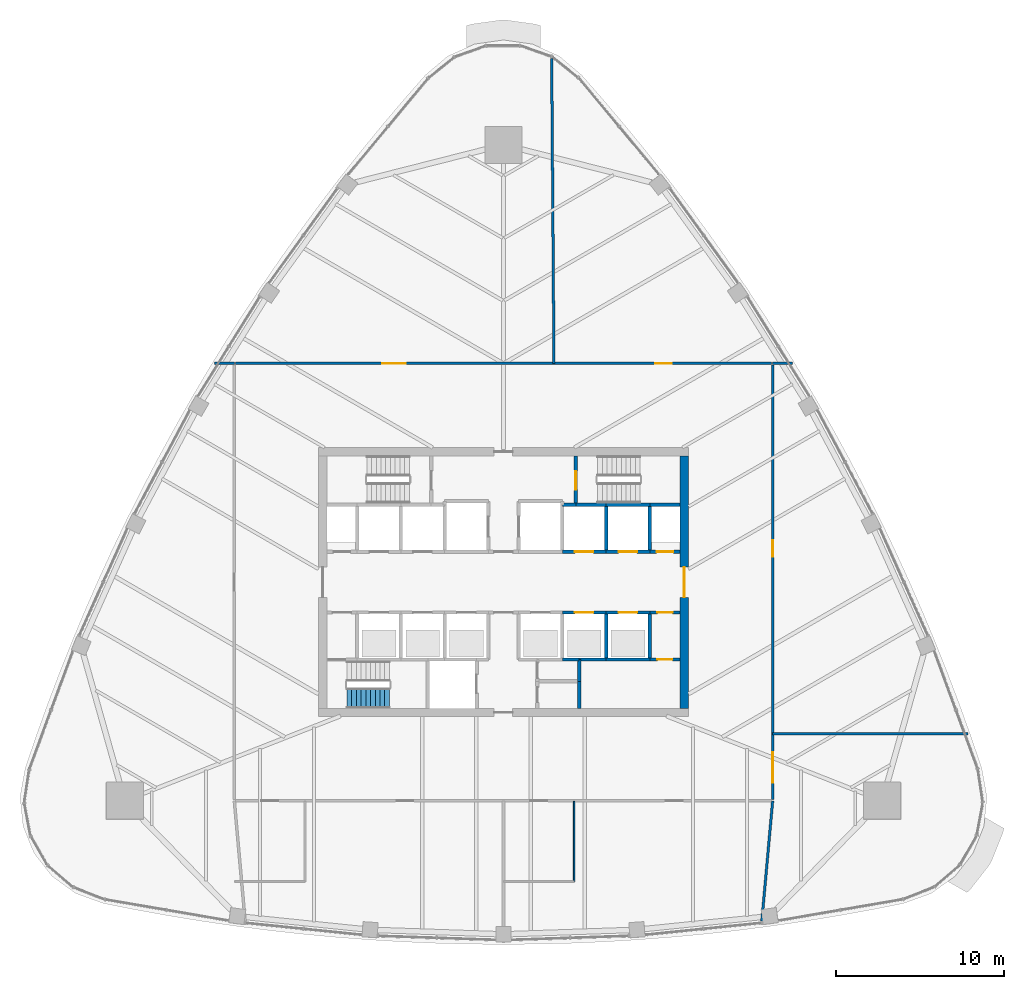
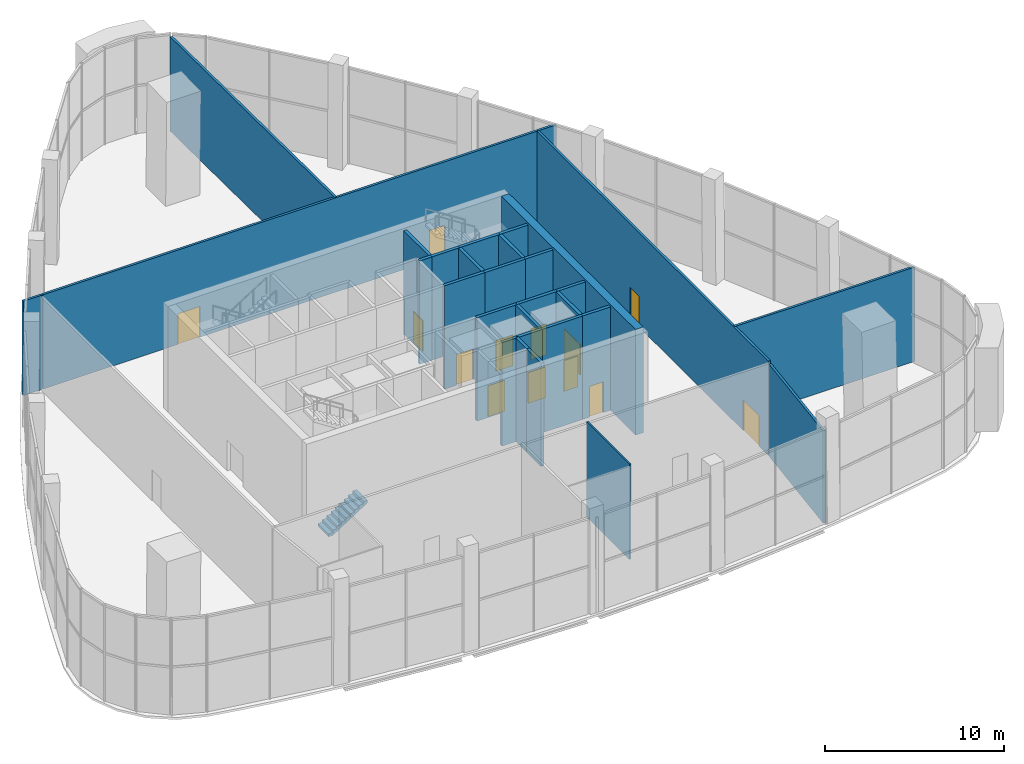
# One storey, part 11 of 15: 30 walls, 13 doors, 1 stair flight, 13 openings, 1 element without a shape of its own.
"""IFC4 building model written with IfcOpenShell, lengths in metres."""

from ifc_helpers import new_model, si_unit, direction, frame, frame_2d, origin, place, context, subcontext, project, spatial, polyline, rectangle, outline, extrude, material, layer, layer_set, type_object, element, fill, aggregate, save


model = new_model("IFC4")

# Units and contexts
model_context = context("Model", 3, precision=1e-05, world=origin(), true_north=direction((0.0, 1.0)))
body_context = subcontext(model_context, "Body", "Model", "MODEL_VIEW")
ifc_project = project(units=[si_unit("LENGTHUNIT", "METRE"), si_unit("AREAUNIT", "SQUARE_METRE"), si_unit("VOLUMEUNIT", "CUBIC_METRE"), si_unit("PLANEANGLEUNIT", "RADIAN"), si_unit("MASSUNIT", "GRAM", prefix="KILO")], contexts=[model_context])

# Site, building, storey
site_placement = place(None, origin())
site = spatial("IfcSite", under=ifc_project, at=site_placement, CompositionType="ELEMENT")
building_placement = place(site_placement, origin())
building = spatial("IfcBuilding", under=site, at=building_placement, Name="Sierra Prisma Convention Tower", CompositionType="ELEMENT")
storey_placement = place(building_placement, frame((0.0, 0.0, 219.800048828125)))
storey = spatial("IfcBuildingStorey", under=building, at=storey_placement, Name="L49", CompositionType="ELEMENT", Elevation=219.800048828125)

# Walls
ifc_material_1 = material(Name="Gypsum board partition", Category="gypsum")
ifc_layer_1 = layer(ifc_material_1, 0.10009765625)
ifc_layer_set_1 = layer_set([ifc_layer_1], Name="Bathroom partition 100")
wall_type_1 = type_object("IfcWallType", Name="Bathroom partition 100", PredefinedType="PARTITIONING", material=ifc_layer_set_1)
wall_1_placement = place(storey_placement, frame((4.199951171875, -13.030029296875, 0.0), z_axis=(0.0, 0.0, 1.0), x_axis=(0.0, -1.0, 0.0)))
element("IfcWall", 1, at=wall_1_placement, inside=storey, type_object=wall_type_1, Name="Partition L49 bath 3", PredefinedType="PARTITIONING", context=body_context, shape_type="SweptSolid", body=[
    extrude(rectangle(XDim=4.77001953125, YDim=0.10009765625, at=frame_2d((2.385009765625, 0.0))), origin(), (0.0, 0.0, 1.0), 6.5),
])
ifc_material_2 = material(Name="Concrete C30/37", Category="concrete")
ifc_layer_2 = layer(ifc_material_2, 0.199951171875)
ifc_layer_set_2 = layer_set([ifc_layer_2], Name="Core wall RC 200 C30/37")
wall_type_2 = type_object("IfcWallType", Name="Core wall RC 200 C30/37", PredefinedType="SOLIDWALL", material=ifc_layer_set_2)
wall_2_placement = place(storey_placement, frame((4.5, -4.60009765625, 0.0), z_axis=(0.0, 0.0, 1.0), x_axis=(-1.0, 0.0, 0.0)))
element("IfcWall", 2, at=wall_2_placement, inside=storey, type_object=wall_type_2, Name="Core wall L49 45", PredefinedType="SOLIDWALL", context=body_context, shape_type="SweptSolid", body=[
    extrude(rectangle(XDim=1.0, YDim=0.199951171875, at=frame_2d((0.5, 0.0))), origin(), (0.0, 0.0, 1.0), 7.050048828125),
])

# Wall, opening, door
wall_3_placement = place(storey_placement, frame((3.5, -1.800048828125, 0.0), z_axis=(0.0, 0.0, 1.0), x_axis=(1.0, 0.0, 0.0)))
wall_3 = element("IfcWall", 3, at=wall_3_placement, inside=storey, type_object=wall_type_2, Name="Core wall L49 47", PredefinedType="SOLIDWALL", context=body_context, shape_type="SweptSolid", body=[
    extrude(rectangle(XDim=2.60009765625, YDim=0.199951171875, at=frame_2d((1.300048828125, 0.0))), origin(), (0.0, 0.0, 1.0), 7.050048828125),
])
opening_1_placement = place(wall_3_placement, frame((0.75, 0.0, 0.0)))
opening_1 = element("IfcOpeningElement", 4, at=opening_1_placement, cuts=wall_3, Name="Opening L49-D005", PredefinedType="OPENING", context=body_context, shape_type="SweptSolid", body=[
    extrude(rectangle(XDim=1.10009765625, YDim=2.10009765625, at=frame_2d((0.550048828125, 1.050048828125))), frame((0.0, 0.10009765625, 0.0), z_axis=(0.0, -1.0, 0.0), x_axis=(1.0, 0.0, 0.0)), (0.0, 0.0, 1.0), 0.199951171875),
])
ifc_material_3 = material(Name="Steel fire door leaf", Category="steel")
door_type_1 = type_object("IfcDoorType", Name="Door 1100x2100 EI 90 sliding lift landing", OperationType="SLIDING_TO_LEFT", PredefinedType="DOOR", material=ifc_material_3)
door_1_placement = place(opening_1_placement, origin())
door_1 = element("IfcDoor", 5, at=door_1_placement, inside=storey, type_object=door_type_1, Name="Door L49 14", OperationType="SLIDING_TO_LEFT", OverallHeight=2.10009765625, OverallWidth=1.10009765625, PredefinedType="DOOR", context=body_context, shape_type="SweptSolid", body=[
    extrude(rectangle(XDim=1.10009765625, YDim=2.10009765625, at=frame_2d((0.550048828125, 1.050048828125))), frame((0.0, 0.02490234375, 0.0), z_axis=(0.0, -1.0, 0.0), x_axis=(1.0, 0.0, 0.0)), (0.0, 0.0, 1.0), 0.050048828125),
])
fill(opening_1, door_1)

wall_4_placement = place(storey_placement, frame((6.10009765625, 1.800048828125, 0.0), z_axis=(0.0, 0.0, 1.0), x_axis=(-1.0, 0.0, 0.0)))
wall_4 = element("IfcWall", 6, at=wall_4_placement, inside=storey, type_object=wall_type_2, Name="Core wall L49 48", PredefinedType="SOLIDWALL", context=body_context, shape_type="SweptSolid", body=[
    extrude(rectangle(XDim=2.60009765625, YDim=0.199951171875, at=frame_2d((1.300048828125, 0.0))), origin(), (0.0, 0.0, 1.0), 7.050048828125),
])
opening_2_placement = place(wall_4_placement, frame((0.75, 0.0, 0.0)))
opening_2 = element("IfcOpeningElement", 7, at=opening_2_placement, cuts=wall_4, Name="Opening L49-D009", PredefinedType="OPENING", context=body_context, shape_type="SweptSolid", body=[
    extrude(rectangle(XDim=1.10009765625, YDim=2.10009765625, at=frame_2d((0.550048828125, 1.050048828125))), frame((0.0, 0.10009765625, 0.0), z_axis=(0.0, -1.0, 0.0), x_axis=(1.0, 0.0, 0.0)), (0.0, 0.0, 1.0), 0.199951171875),
])
door_2_placement = place(opening_2_placement, origin())
door_2 = element("IfcDoor", 8, at=door_2_placement, inside=storey, type_object=door_type_1, Name="Door L49 18", OperationType="SLIDING_TO_RIGHT", OverallHeight=2.10009765625, OverallWidth=1.10009765625, PredefinedType="DOOR", context=body_context, shape_type="SweptSolid", body=[
    extrude(rectangle(XDim=1.10009765625, YDim=2.10009765625, at=frame_2d((0.550048828125, 1.050048828125))), frame((0.0, 0.02490234375, 0.0), z_axis=(0.0, -1.0, 0.0), x_axis=(1.0, 0.0, 0.0)), (0.0, 0.0, 1.0), 0.050048828125),
])
fill(opening_2, door_2)

# Walls
wall_5_placement = place(storey_placement, frame((4.300048828125, 4.60009765625, 0.0), z_axis=(0.0, 0.0, 1.0), x_axis=(-1.0, 0.0, 0.0)))
element("IfcWall", 9, at=wall_5_placement, inside=storey, type_object=wall_type_2, Name="Core wall L49 50", PredefinedType="SOLIDWALL", context=body_context, shape_type="SweptSolid", body=[
    extrude(rectangle(XDim=0.800048828125, YDim=0.199951171875, at=frame_2d((0.39990234375, 0.0))), origin(), (0.0, 0.0, 1.0), 7.050048828125),
])
wall_6_placement = place(storey_placement, frame((6.10009765625, 4.60009765625, 0.0), z_axis=(0.0, 0.0, 1.0), x_axis=(-1.0, 0.0, 0.0)))
element("IfcWall", 10, at=wall_6_placement, inside=storey, type_object=wall_type_2, Name="Core wall L49 51", PredefinedType="SOLIDWALL", context=body_context, shape_type="SweptSolid", body=[
    extrude(rectangle(XDim=1.800048828125, YDim=0.199951171875, at=frame_2d((0.89990234375, 0.0))), origin(), (0.0, 0.0, 1.0), 7.050048828125),
])

# Wall, opening, door
wall_7_placement = place(storey_placement, frame((4.300048828125, 7.5, 0.0), z_axis=(0.0, 0.0, 1.0), x_axis=(0.0, -1.0, 0.0)))
wall_7 = element("IfcWall", 11, at=wall_7_placement, inside=storey, type_object=wall_type_2, Name="Core wall L49 52", PredefinedType="SOLIDWALL", context=body_context, shape_type="SweptSolid", body=[
    extrude(rectangle(XDim=2.89990234375, YDim=0.199951171875, at=frame_2d((1.449951171875, 0.0))), origin(), (0.0, 0.0, 1.0), 7.050048828125),
])
opening_3_placement = place(wall_7_placement, frame((0.89990234375, 0.0, 0.0)))
opening_3 = element("IfcOpeningElement", 12, at=opening_3_placement, cuts=wall_7, Name="Opening L49-D021", PredefinedType="OPENING", context=body_context, shape_type="SweptSolid", body=[
    extrude(rectangle(XDim=1.10009765625, YDim=2.10009765625, at=frame_2d((0.550048828125, 1.050048828125))), frame((0.0, 0.10009765625, 0.0), z_axis=(0.0, -1.0, 0.0), x_axis=(1.0, 0.0, 0.0)), (0.0, 0.0, 1.0), 0.199951171875),
])
ifc_material_4 = material(Name="Steel fire door leaf", Category="steel")
door_type_2 = type_object("IfcDoorType", Name="Door 1100x2100 FD90S", OperationType="SINGLE_SWING_LEFT", PredefinedType="DOOR", material=ifc_material_4)
door_3_placement = place(opening_3_placement, origin())
door_3 = element("IfcDoor", 13, at=door_3_placement, inside=storey, type_object=door_type_2, Name="Door L49 30", OperationType="SINGLE_SWING_RIGHT", OverallHeight=2.10009765625, OverallWidth=1.10009765625, PredefinedType="DOOR", context=body_context, shape_type="SweptSolid", body=[
    extrude(rectangle(XDim=1.10009765625, YDim=2.10009765625, at=frame_2d((0.550048828125, 1.050048828125))), frame((0.0, 0.02490234375, 0.0), z_axis=(0.0, -1.0, 0.0), x_axis=(1.0, 0.0, 0.0)), (0.0, 0.0, 1.0), 0.050048828125),
])
fill(opening_3, door_3)

# Walls
wall_8_placement = place(storey_placement, frame((4.5, -5.89990234375, 0.0), z_axis=(0.0, 0.0, 1.0), x_axis=(0.0, -1.0, 0.0)))
element("IfcWall", 14, at=wall_8_placement, inside=storey, type_object=wall_type_2, Name="Core wall L49 53", PredefinedType="SOLIDWALL", context=body_context, shape_type="SweptSolid", body=[
    extrude(rectangle(XDim=1.60009765625, YDim=0.199951171875, at=frame_2d((0.800048828125, 0.0))), origin(), (0.0, 0.0, 1.0), 7.050048828125),
])
wall_9_placement = place(storey_placement, frame((4.5, -4.60009765625, 0.0), z_axis=(0.0, 0.0, 1.0), x_axis=(0.0, -1.0, 0.0)))
element("IfcWall", 15, at=wall_9_placement, inside=storey, type_object=wall_type_2, Name="Core wall L49 54", PredefinedType="SOLIDWALL", context=body_context, shape_type="SweptSolid", body=[
    extrude(rectangle(XDim=1.2998046875, YDim=0.199951171875, at=frame_2d((0.64990234375, 0.0))), origin(), (0.0, 0.0, 1.0), 7.050048828125),
])
wall_10_placement = place(storey_placement, frame((6.10009765625, -4.60009765625, 0.0), z_axis=(0.0, 0.0, 1.0), x_axis=(-1.0, 0.0, 0.0)))
element("IfcWall", 16, at=wall_10_placement, inside=storey, type_object=wall_type_2, Name="Core wall L49 55", PredefinedType="SOLIDWALL", context=body_context, shape_type="SweptSolid", body=[
    extrude(rectangle(XDim=1.60009765625, YDim=0.199951171875, at=frame_2d((0.800048828125, 0.0))), origin(), (0.0, 0.0, 1.0), 7.050048828125),
])
wall_11_placement = place(storey_placement, frame((8.699951171875, -4.60009765625, 0.0), z_axis=(0.0, 0.0, 1.0), x_axis=(-1.0, 0.0, 0.0)))
element("IfcWall", 17, at=wall_11_placement, inside=storey, type_object=wall_type_2, Name="Core wall L49 56", PredefinedType="SOLIDWALL", context=body_context, shape_type="SweptSolid", body=[
    extrude(rectangle(XDim=2.599853515625, YDim=0.199951171875, at=frame_2d((1.2998046875, 0.0))), origin(), (0.0, 0.0, 1.0), 7.050048828125),
])
wall_12_placement = place(storey_placement, frame((6.10009765625, -4.60009765625, 0.0), z_axis=(0.0, 0.0, 1.0), x_axis=(0.0, 1.0, 0.0)))
element("IfcWall", 18, at=wall_12_placement, inside=storey, type_object=wall_type_2, Name="Core wall L49 57", PredefinedType="SOLIDWALL", context=body_context, shape_type="SweptSolid", body=[
    extrude(rectangle(XDim=2.800048828125, YDim=0.199951171875, at=frame_2d((1.39990234375, 0.0))), origin(), (0.0, 0.0, 1.0), 7.050048828125),
])

# Wall, opening, door
wall_13_placement = place(storey_placement, frame((6.10009765625, -1.800048828125, 0.0), z_axis=(0.0, 0.0, 1.0), x_axis=(1.0, 0.0, 0.0)))
wall_13 = element("IfcWall", 19, at=wall_13_placement, inside=storey, type_object=wall_type_2, Name="Core wall L49 58", PredefinedType="SOLIDWALL", context=body_context, shape_type="SweptSolid", body=[
    extrude(rectangle(XDim=2.599853515625, YDim=0.199951171875, at=frame_2d((1.2998046875, 0.0))), origin(), (0.0, 0.0, 1.0), 7.050048828125),
])
opening_4_placement = place(wall_13_placement, frame((0.75, 0.0, 0.0)))
opening_4 = element("IfcOpeningElement", 20, at=opening_4_placement, cuts=wall_13, Name="Opening L49-D006", PredefinedType="OPENING", context=body_context, shape_type="SweptSolid", body=[
    extrude(rectangle(XDim=1.10009765625, YDim=2.10009765625, at=frame_2d((0.550048828125, 1.050048828125))), frame((0.0, 0.10009765625, 0.0), z_axis=(0.0, -1.0, 0.0), x_axis=(1.0, 0.0, 0.0)), (0.0, 0.0, 1.0), 0.199951171875),
])
door_4_placement = place(opening_4_placement, origin())
door_4 = element("IfcDoor", 21, at=door_4_placement, inside=storey, type_object=door_type_1, Name="Door L49 15", OperationType="SLIDING_TO_LEFT", OverallHeight=2.10009765625, OverallWidth=1.10009765625, PredefinedType="DOOR", context=body_context, shape_type="SweptSolid", body=[
    extrude(rectangle(XDim=1.10009765625, YDim=2.10009765625, at=frame_2d((0.550048828125, 1.050048828125))), frame((0.0, 0.02490234375, 0.0), z_axis=(0.0, -1.0, 0.0), x_axis=(1.0, 0.0, 0.0)), (0.0, 0.0, 1.0), 0.050048828125),
])
fill(opening_4, door_4)

wall_14_placement = place(storey_placement, frame((8.699951171875, 1.800048828125, 0.0), z_axis=(0.0, 0.0, 1.0), x_axis=(-1.0, 0.0, 0.0)))
wall_14 = element("IfcWall", 22, at=wall_14_placement, inside=storey, type_object=wall_type_2, Name="Core wall L49 59", PredefinedType="SOLIDWALL", context=body_context, shape_type="SweptSolid", body=[
    extrude(rectangle(XDim=2.599853515625, YDim=0.199951171875, at=frame_2d((1.2998046875, 0.0))), origin(), (0.0, 0.0, 1.0), 7.050048828125),
])
opening_5_placement = place(wall_14_placement, frame((0.75, 0.0, 0.0)))
opening_5 = element("IfcOpeningElement", 23, at=opening_5_placement, cuts=wall_14, Name="Opening L49-D010", PredefinedType="OPENING", context=body_context, shape_type="SweptSolid", body=[
    extrude(rectangle(XDim=1.10009765625, YDim=2.10009765625, at=frame_2d((0.550048828125, 1.050048828125))), frame((0.0, 0.10009765625, 0.0), z_axis=(0.0, -1.0, 0.0), x_axis=(1.0, 0.0, 0.0)), (0.0, 0.0, 1.0), 0.199951171875),
])
door_5_placement = place(opening_5_placement, origin())
door_5 = element("IfcDoor", 24, at=door_5_placement, inside=storey, type_object=door_type_1, Name="Door L49 19", OperationType="SLIDING_TO_LEFT", OverallHeight=2.10009765625, OverallWidth=1.10009765625, PredefinedType="DOOR", context=body_context, shape_type="SweptSolid", body=[
    extrude(rectangle(XDim=1.10009765625, YDim=2.10009765625, at=frame_2d((0.550048828125, 1.050048828125))), frame((0.0, 0.02490234375, 0.0), z_axis=(0.0, -1.0, 0.0), x_axis=(1.0, 0.0, 0.0)), (0.0, 0.0, 1.0), 0.050048828125),
])
fill(opening_5, door_5)

# Walls
wall_15_placement = place(storey_placement, frame((6.10009765625, 1.800048828125, 0.0), z_axis=(0.0, 0.0, 1.0), x_axis=(0.0, 1.0, 0.0)))
element("IfcWall", 25, at=wall_15_placement, inside=storey, type_object=wall_type_2, Name="Core wall L49 60", PredefinedType="SOLIDWALL", context=body_context, shape_type="SweptSolid", body=[
    extrude(rectangle(XDim=2.800048828125, YDim=0.199951171875, at=frame_2d((1.39990234375, 0.0))), origin(), (0.0, 0.0, 1.0), 7.050048828125),
])
wall_16_placement = place(storey_placement, frame((8.699951171875, 4.60009765625, 0.0), z_axis=(0.0, 0.0, 1.0), x_axis=(-1.0, 0.0, 0.0)))
element("IfcWall", 26, at=wall_16_placement, inside=storey, type_object=wall_type_2, Name="Core wall L49 61", PredefinedType="SOLIDWALL", context=body_context, shape_type="SweptSolid", body=[
    extrude(rectangle(XDim=2.599853515625, YDim=0.199951171875, at=frame_2d((1.2998046875, 0.0))), origin(), (0.0, 0.0, 1.0), 7.050048828125),
])

# Wall, opening, door
wall_17_placement = place(storey_placement, frame((10.5, -4.60009765625, 0.0), z_axis=(0.0, 0.0, 1.0), x_axis=(-1.0, 0.0, 0.0)))
wall_17 = element("IfcWall", 27, at=wall_17_placement, inside=storey, type_object=wall_type_2, Name="Core wall L49 62", PredefinedType="SOLIDWALL", context=body_context, shape_type="SweptSolid", body=[
    extrude(rectangle(XDim=1.800048828125, YDim=0.199951171875, at=frame_2d((0.89990234375, 0.0))), origin(), (0.0, 0.0, 1.0), 7.050048828125),
])
opening_6_placement = place(wall_17_placement, frame((0.4599609375, 0.0, 0.0)))
opening_6 = element("IfcOpeningElement", 28, at=opening_6_placement, cuts=wall_17, Name="Opening L49-D022", PredefinedType="OPENING", context=body_context, shape_type="SweptSolid", body=[
    extrude(rectangle(XDim=0.89990234375, YDim=2.10009765625, at=frame_2d((0.449951171875, 1.050048828125))), frame((0.0, 0.10009765625, 0.0), z_axis=(0.0, -1.0, 0.0), x_axis=(1.0, 0.0, 0.0)), (0.0, 0.0, 1.0), 0.199951171875),
])
ifc_material_5 = material(Name="Steel fire door leaf", Category="steel")
door_type_3 = type_object("IfcDoorType", Name="Door 900x2100 FD30S", OperationType="SINGLE_SWING_LEFT", PredefinedType="DOOR", material=ifc_material_5)
door_6_placement = place(opening_6_placement, origin())
door_6 = element("IfcDoor", 29, at=door_6_placement, inside=storey, type_object=door_type_3, Name="Door L49 31", OperationType="SINGLE_SWING_LEFT", OverallHeight=2.10009765625, OverallWidth=0.89990234375, PredefinedType="DOOR", context=body_context, shape_type="SweptSolid", body=[
    extrude(rectangle(XDim=0.89990234375, YDim=2.10009765625, at=frame_2d((0.449951171875, 1.050048828125))), frame((0.0, 0.02490234375, 0.0), z_axis=(0.0, -1.0, 0.0), x_axis=(1.0, 0.0, 0.0)), (0.0, 0.0, 1.0), 0.050048828125),
])
fill(opening_6, door_6)

# Wall
wall_18_placement = place(storey_placement, frame((8.699951171875, -1.800048828125, 0.0), z_axis=(0.0, 0.0, 1.0), x_axis=(0.0, -1.0, 0.0)))
element("IfcWall", 30, at=wall_18_placement, inside=storey, type_object=wall_type_2, Name="Core wall L49 63", PredefinedType="SOLIDWALL", context=body_context, shape_type="SweptSolid", body=[
    extrude(rectangle(XDim=2.800048828125, YDim=0.199951171875, at=frame_2d((1.39990234375, 0.0))), origin(), (0.0, 0.0, 1.0), 7.050048828125),
])

# Wall, opening, door
wall_19_placement = place(storey_placement, frame((8.699951171875, -1.800048828125, 0.0), z_axis=(0.0, 0.0, 1.0), x_axis=(1.0, 0.0, 0.0)))
wall_19 = element("IfcWall", 31, at=wall_19_placement, inside=storey, type_object=wall_type_2, Name="Core wall L49 64", PredefinedType="SOLIDWALL", context=body_context, shape_type="SweptSolid", body=[
    extrude(rectangle(XDim=1.800048828125, YDim=0.199951171875, at=frame_2d((0.89990234375, 0.0))), origin(), (0.0, 0.0, 1.0), 7.050048828125),
])
opening_7_placement = place(wall_19_placement, frame((0.449951171875, 0.0, 0.0)))
opening_7 = element("IfcOpeningElement", 32, at=opening_7_placement, cuts=wall_19, Name="Opening L49-D023", PredefinedType="OPENING", context=body_context, shape_type="SweptSolid", body=[
    extrude(rectangle(XDim=0.89990234375, YDim=2.10009765625, at=frame_2d((0.449951171875, 1.050048828125))), frame((0.0, 0.10009765625, 0.0), z_axis=(0.0, -1.0, 0.0), x_axis=(1.0, 0.0, 0.0)), (0.0, 0.0, 1.0), 0.199951171875),
])
door_7_placement = place(opening_7_placement, origin())
door_7 = element("IfcDoor", 33, at=door_7_placement, inside=storey, type_object=door_type_3, Name="Door L49 32", OperationType="SINGLE_SWING_RIGHT", OverallHeight=2.10009765625, OverallWidth=0.89990234375, PredefinedType="DOOR", context=body_context, shape_type="SweptSolid", body=[
    extrude(rectangle(XDim=0.89990234375, YDim=2.10009765625, at=frame_2d((0.449951171875, 1.050048828125))), frame((0.0, 0.02490234375, 0.0), z_axis=(0.0, -1.0, 0.0), x_axis=(1.0, 0.0, 0.0)), (0.0, 0.0, 1.0), 0.050048828125),
])
fill(opening_7, door_7)

wall_20_placement = place(storey_placement, frame((10.5, 1.800048828125, 0.0), z_axis=(0.0, 0.0, 1.0), x_axis=(-1.0, 0.0, 0.0)))
wall_20 = element("IfcWall", 34, at=wall_20_placement, inside=storey, type_object=wall_type_2, Name="Core wall L49 65", PredefinedType="SOLIDWALL", context=body_context, shape_type="SweptSolid", body=[
    extrude(rectangle(XDim=1.800048828125, YDim=0.199951171875, at=frame_2d((0.89990234375, 0.0))), origin(), (0.0, 0.0, 1.0), 7.050048828125),
])
opening_8_placement = place(wall_20_placement, frame((0.39990234375, 0.0, 0.0)))
opening_8 = element("IfcOpeningElement", 35, at=opening_8_placement, cuts=wall_20, Name="Opening L49-D018", PredefinedType="OPENING", context=body_context, shape_type="SweptSolid", body=[
    extrude(rectangle(XDim=1.0, YDim=2.10009765625, at=frame_2d((0.5, 1.050048828125))), frame((0.0, 0.10009765625, 0.0), z_axis=(0.0, -1.0, 0.0), x_axis=(1.0, 0.0, 0.0)), (0.0, 0.0, 1.0), 0.199951171875),
])
ifc_material_6 = material(Name="Steel fire door leaf", Category="steel")
door_type_4 = type_object("IfcDoorType", Name="Door 1000x2100 FD60S", OperationType="SINGLE_SWING_LEFT", PredefinedType="DOOR", material=ifc_material_6)
door_8_placement = place(opening_8_placement, origin())
door_8 = element("IfcDoor", 36, at=door_8_placement, inside=storey, type_object=door_type_4, Name="Door L49 27", OperationType="SINGLE_SWING_RIGHT", OverallHeight=2.10009765625, OverallWidth=1.0, PredefinedType="DOOR", context=body_context, shape_type="SweptSolid", body=[
    extrude(rectangle(XDim=1.0, YDim=2.10009765625, at=frame_2d((0.5, 1.050048828125))), frame((0.0, 0.02490234375, 0.0), z_axis=(0.0, -1.0, 0.0), x_axis=(1.0, 0.0, 0.0)), (0.0, 0.0, 1.0), 0.050048828125),
])
fill(opening_8, door_8)

# Walls
wall_21_placement = place(storey_placement, frame((8.699951171875, 4.60009765625, 0.0), z_axis=(0.0, 0.0, 1.0), x_axis=(0.0, -1.0, 0.0)))
element("IfcWall", 37, at=wall_21_placement, inside=storey, type_object=wall_type_2, Name="Core wall L49 66", PredefinedType="SOLIDWALL", context=body_context, shape_type="SweptSolid", body=[
    extrude(rectangle(XDim=2.800048828125, YDim=0.199951171875, at=frame_2d((1.39990234375, 0.0))), origin(), (0.0, 0.0, 1.0), 7.050048828125),
])
wall_22_placement = place(storey_placement, frame((10.5, 4.60009765625, 0.0), z_axis=(0.0, 0.0, 1.0), x_axis=(-1.0, 0.0, 0.0)))
element("IfcWall", 38, at=wall_22_placement, inside=storey, type_object=wall_type_2, Name="Core wall L49 67", PredefinedType="SOLIDWALL", context=body_context, shape_type="SweptSolid", body=[
    extrude(rectangle(XDim=1.800048828125, YDim=0.199951171875, at=frame_2d((0.89990234375, 0.0))), origin(), (0.0, 0.0, 1.0), 7.050048828125),
])

# Wall, opening, door
ifc_material_7 = material(Name="Concrete C50/60", Category="concrete")
ifc_layer_3 = layer(ifc_material_7, 0.5)
ifc_layer_set_3 = layer_set([ifc_layer_3], Name="Core wall RC 500 C50/60")
wall_type_3 = type_object("IfcWallType", Name="Core wall RC 500 C50/60", PredefinedType="SHEAR", material=ifc_layer_set_3)
wall_23_placement = place(storey_placement, frame((10.75, -7.5, 0.0), z_axis=(0.0, 0.0, 1.0), x_axis=(0.0, 1.0, 0.0)))
wall_23 = element("IfcWall", 39, at=wall_23_placement, inside=storey, type_object=wall_type_3, Name="Core wall E L49", PredefinedType="SHEAR", context=body_context, shape_type="SweptSolid", body=[
    extrude(rectangle(XDim=15.0, YDim=0.5, at=frame_2d((7.5, 0.0))), origin(), (0.0, 0.0, 1.0), 7.199951171875),
])
opening_9_placement = place(wall_23_placement, frame((6.60009765625, 0.0, 0.0)))
opening_9 = element("IfcOpeningElement", 40, at=opening_9_placement, cuts=wall_23, Name="Opening L49-D035", PredefinedType="OPENING", context=body_context, shape_type="SweptSolid", body=[
    extrude(rectangle(XDim=1.800048828125, YDim=2.10009765625, at=frame_2d((0.89990234375, 1.050048828125))), frame((0.0, 0.25, 0.0), z_axis=(0.0, -1.0, 0.0), x_axis=(1.0, 0.0, 0.0)), (0.0, 0.0, 1.0), 0.5),
])
ifc_material_8 = material(Name="Steel fire door leaf", Category="steel")
door_type_5 = type_object("IfcDoorType", Name="Door 1800x2100 FD60S", OperationType="DOUBLE_DOOR_SINGLE_SWING", PredefinedType="DOOR", material=ifc_material_8)
door_9_placement = place(opening_9_placement, origin())
door_9 = element("IfcDoor", 41, at=door_9_placement, inside=storey, type_object=door_type_5, Name="Door L49 36", OperationType="DOUBLE_DOOR_SINGLE_SWING", OverallHeight=2.10009765625, OverallWidth=1.800048828125, PredefinedType="DOOR", context=body_context, shape_type="SweptSolid", body=[
    extrude(rectangle(XDim=1.800048828125, YDim=2.10009765625, at=frame_2d((0.89990234375, 1.050048828125))), frame((0.0, 0.02490234375, 0.0), z_axis=(0.0, -1.0, 0.0), x_axis=(1.0, 0.0, 0.0)), (0.0, 0.0, 1.0), 0.050048828125),
])
fill(opening_9, door_9)

# Wall, openings, doors
ifc_material_9 = material(Name="Gypsum board partition", Category="gypsum")
ifc_layer_4 = layer(ifc_material_9, 0.14990234375)
ifc_layer_set_4 = layer_set([ifc_layer_4], Name="Corridor wall 150 gypsum EI 60")
wall_type_4 = type_object("IfcWallType", Name="Corridor wall 150 gypsum EI 60", PredefinedType="PARTITIONING", material=ifc_layer_set_4)
wall_24_placement = place(storey_placement, frame((15.919921875, 13.0, 0.0), z_axis=(0.0, 0.0, 1.0), x_axis=(-1.0, 0.0, 0.0)))
wall_24 = element("IfcWall", 42, at=wall_24_placement, inside=storey, type_object=wall_type_4, Name="Partition L49 corr 3", PredefinedType="PARTITIONING", context=body_context, shape_type="SweptSolid", body=[
    extrude(rectangle(XDim=31.83984375, YDim=0.14990234375, at=frame_2d((15.919921875, 0.0))), origin(), (0.0, 0.0, 1.0), 6.432861328125),
])
opening_10_placement = place(wall_24_placement, frame((5.909912109375, 0.0, 0.0)))
opening_10 = element("IfcOpeningElement", 43, at=opening_10_placement, cuts=wall_24, Name="Opening L49-D026", PredefinedType="OPENING", context=body_context, shape_type="SweptSolid", body=[
    extrude(rectangle(XDim=1.0, YDim=2.10009765625, at=frame_2d((0.5, 1.050048828125))), frame((0.0, 0.074951171875, 0.0), z_axis=(0.0, -1.0, 0.0), x_axis=(1.0, 0.0, 0.0)), (0.0, 0.0, 1.0), 0.14990234375),
])
opening_11_placement = place(wall_24_placement, frame((21.72998046875, 0.0, 0.0)))
opening_11 = element("IfcOpeningElement", 44, at=opening_11_placement, cuts=wall_24, Name="Opening L49-D027", PredefinedType="OPENING", context=body_context, shape_type="SweptSolid", body=[
    extrude(rectangle(XDim=1.39990234375, YDim=2.10009765625, at=frame_2d((0.699951171875, 1.050048828125))), frame((0.0, 0.074951171875, 0.0), z_axis=(0.0, -1.0, 0.0), x_axis=(1.0, 0.0, 0.0)), (0.0, 0.0, 1.0), 0.14990234375),
])
ifc_material_10 = material(Name="Steel fire door leaf", Category="steel")
door_type_6 = type_object("IfcDoorType", Name="Door 1000x2100 FD30S", OperationType="SINGLE_SWING_LEFT", PredefinedType="DOOR", material=ifc_material_10)
door_10_placement = place(opening_10_placement, origin())
door_10 = element("IfcDoor", 45, at=door_10_placement, inside=storey, type_object=door_type_6, Name="Door L49 1", OperationType="SINGLE_SWING_LEFT", OverallHeight=2.10009765625, OverallWidth=1.0, PredefinedType="DOOR", context=body_context, shape_type="SweptSolid", body=[
    extrude(rectangle(XDim=1.0, YDim=2.10009765625, at=frame_2d((0.5, 1.050048828125))), frame((0.0, 0.02490234375, 0.0), z_axis=(0.0, -1.0, 0.0), x_axis=(1.0, 0.0, 0.0)), (0.0, 0.0, 1.0), 0.050048828125),
])
fill(opening_10, door_10)
ifc_material_11 = material(Name="Steel fire door leaf", Category="steel")
door_type_7 = type_object("IfcDoorType", Name="Door 1400x2100 FD30S", OperationType="SINGLE_SWING_LEFT", PredefinedType="DOOR", material=ifc_material_11)
door_11_placement = place(opening_11_placement, origin())
door_11 = element("IfcDoor", 46, at=door_11_placement, inside=storey, type_object=door_type_7, Name="Door L49 2", OperationType="SINGLE_SWING_LEFT", OverallHeight=2.10009765625, OverallWidth=1.39990234375, PredefinedType="DOOR", context=body_context, shape_type="SweptSolid", body=[
    extrude(rectangle(XDim=1.39990234375, YDim=2.10009765625, at=frame_2d((0.699951171875, 1.050048828125))), frame((0.0, 0.02490234375, 0.0), z_axis=(0.0, -1.0, 0.0), x_axis=(1.0, 0.0, 0.0)), (0.0, 0.0, 1.0), 0.050048828125),
])
fill(opening_11, door_11)

wall_25_placement = place(storey_placement, frame((16.0, -12.919921875, 0.0), z_axis=(0.0, 0.0, 1.0), x_axis=(0.0, 1.0, 0.0)))
wall_25 = element("IfcWall", 47, at=wall_25_placement, inside=storey, type_object=wall_type_4, Name="Partition L49 corr 4", PredefinedType="PARTITIONING", context=body_context, shape_type="SweptSolid", body=[
    extrude(rectangle(XDim=25.83984375, YDim=0.14990234375, at=frame_2d((12.919921875, 0.0))), origin(), (0.0, 0.0, 1.0), 6.432861328125),
])
opening_12_placement = place(wall_25_placement, frame((1.010009765625, 0.0, 0.0)))
opening_12 = element("IfcOpeningElement", 48, at=opening_12_placement, cuts=wall_25, Name="Opening L49-D033", PredefinedType="OPENING", context=body_context, shape_type="SweptSolid", body=[
    extrude(rectangle(XDim=1.800048828125, YDim=2.10009765625, at=frame_2d((0.89990234375, 1.050048828125))), frame((0.0, 0.074951171875, 0.0), z_axis=(0.0, -1.0, 0.0), x_axis=(1.0, 0.0, 0.0)), (0.0, 0.0, 1.0), 0.14990234375),
])
opening_13_placement = place(wall_25_placement, frame((14.419921875, 0.0, 0.0)))
opening_13 = element("IfcOpeningElement", 49, at=opening_13_placement, cuts=wall_25, Name="Opening L49-D034", PredefinedType="OPENING", context=body_context, shape_type="SweptSolid", body=[
    extrude(rectangle(XDim=1.0, YDim=2.10009765625, at=frame_2d((0.5, 1.050048828125))), frame((0.0, 0.074951171875, 0.0), z_axis=(0.0, -1.0, 0.0), x_axis=(1.0, 0.0, 0.0)), (0.0, 0.0, 1.0), 0.14990234375),
])
door_12_placement = place(opening_13_placement, origin())
door_12 = element("IfcDoor", 50, at=door_12_placement, inside=storey, type_object=door_type_6, Name="Door L49 9", OperationType="SINGLE_SWING_RIGHT", OverallHeight=2.10009765625, OverallWidth=1.0, PredefinedType="DOOR", context=body_context, shape_type="SweptSolid", body=[
    extrude(rectangle(XDim=1.0, YDim=2.10009765625, at=frame_2d((0.5, 1.050048828125))), frame((0.0, 0.02490234375, 0.0), z_axis=(0.0, -1.0, 0.0), x_axis=(1.0, 0.0, 0.0)), (0.0, 0.0, 1.0), 0.050048828125),
])
fill(opening_13, door_12)
ifc_material_12 = material(Name="Steel fire door leaf", Category="steel")
door_type_8 = type_object("IfcDoorType", Name="Door 1800x2100 FD30S", OperationType="DOUBLE_DOOR_SINGLE_SWING", PredefinedType="DOOR", material=ifc_material_12)
door_13_placement = place(opening_12_placement, origin())
door_13 = element("IfcDoor", 51, at=door_13_placement, inside=storey, type_object=door_type_8, Name="Door L49 8", OperationType="DOUBLE_DOOR_SINGLE_SWING", OverallHeight=2.10009765625, OverallWidth=1.800048828125, PredefinedType="DOOR", context=body_context, shape_type="SweptSolid", body=[
    extrude(rectangle(XDim=1.800048828125, YDim=2.10009765625, at=frame_2d((0.89990234375, 1.050048828125))), frame((0.0, 0.02490234375, 0.0), z_axis=(0.0, -1.0, 0.0), x_axis=(1.0, 0.0, 0.0)), (0.0, 0.0, 1.0), 0.050048828125),
])
fill(opening_12, door_13)

# Walls
ifc_material_13 = material(Name="Gypsum board partition", Category="gypsum")
ifc_layer_5 = layer(ifc_material_13, 0.14990234375)
ifc_layer_set_5 = layer_set([ifc_layer_5], Name="Party wall 150 gypsum")
wall_type_5 = type_object("IfcWallType", Name="Party wall 150 gypsum", PredefinedType="PARTITIONING", material=ifc_layer_set_5)
wall_26_placement = place(storey_placement, frame((-16.0, 13.0, 0.0), z_axis=(0.0, 0.0, 1.0), x_axis=(-1.0, 0.0, 0.0)))
element("IfcWall", 52, at=wall_26_placement, inside=storey, type_object=wall_type_5, Name="Partition L49 party 1", PredefinedType="PARTITIONING", context=body_context, shape_type="SweptSolid", body=[
    extrude(rectangle(XDim=1.18212890625, YDim=0.14990234375, at=frame_2d((0.591064453125, 0.0))), origin(), (0.0, 0.0, 1.0), 6.433837890625),
])
wall_27_placement = place(storey_placement, frame((3.0, 13.0, 0.0), z_axis=(0.0, 0.0, 1.0), x_axis=(-0.007509579235, 0.999971802712, 0.0)))
element("IfcWall", 53, at=wall_27_placement, inside=storey, type_object=wall_type_5, Name="Partition L49 party 4", PredefinedType="PARTITIONING", context=body_context, shape_type="SweptSolid", body=[
    extrude(rectangle(XDim=18.140869140625, YDim=0.14990234375, at=frame_2d((9.0703125, 0.0))), origin(), (0.0, 0.0, 1.0), 6.433837890625),
])
wall_28_placement = place(storey_placement, frame((16.0, -13.0, 0.0), z_axis=(0.0, 0.0, 1.0), x_axis=(-0.089975086332, -0.995944016418, 0.0)))
element("IfcWall", 54, at=wall_28_placement, inside=storey, type_object=wall_type_5, Name="Partition L49 party 5", PredefinedType="PARTITIONING", context=body_context, shape_type="SweptSolid", body=[
    extrude(rectangle(XDim=7.18505859375, YDim=0.14990234375, at=frame_2d((3.592529296875, 0.0))), origin(), (0.0, 0.0, 1.0), 6.283935546875),
])
wall_29_placement = place(storey_placement, frame((16.0, -9.0, 0.0), z_axis=(0.0, 0.0, 1.0), x_axis=(1.0, 0.0, 0.0)))
element("IfcWall", 55, at=wall_29_placement, inside=storey, type_object=wall_type_5, Name="Partition L49 party 6", PredefinedType="PARTITIONING", context=body_context, shape_type="SweptSolid", body=[
    extrude(rectangle(XDim=11.603515625, YDim=0.14990234375, at=frame_2d((5.8017578125, 0.0))), origin(), (0.0, 0.0, 1.0), 6.433837890625),
])
wall_30_placement = place(storey_placement, frame((17.18212890625, 13.0, 0.0), z_axis=(0.0, 0.0, 1.0), x_axis=(-1.0, 0.0, 0.0)))
element("IfcWall", 56, at=wall_30_placement, inside=storey, type_object=wall_type_5, Name="Partition L49 party 7", PredefinedType="PARTITIONING", context=body_context, shape_type="SweptSolid", body=[
    extrude(rectangle(XDim=1.18212890625, YDim=0.14990234375, at=frame_2d((0.591064453125, 0.0))), origin(), (0.0, 0.0, 1.0), 6.433837890625),
])

# Stair, stair flight
ifc_material_14 = material(Name="Concrete C30/37", Category="concrete")
stair_type = type_object("IfcStairType", Name="Stair dog-leg 1200 RC", PredefinedType="HALF_TURN_STAIR", material=ifc_material_14)
stair_placement = place(storey_placement, origin())
stair = element("IfcStair", 57, at=stair_placement, inside=storey, type_object=stair_type, Name="L49 S1", PredefinedType="HALF_TURN_STAIR")
ifc_material_15 = material(Name="Concrete C30/37", Category="concrete")
stair_flight_type = type_object("IfcStairFlightType", Name="Stair flight RC 1200", PredefinedType="STRAIGHT", material=ifc_material_15)
stair_flight_placement = place(storey_placement, frame((-9.300048828125, -6.89990234375, 0.0), z_axis=(0.0, 0.0, 1.0), x_axis=(1.0, 0.0, 0.0)))
stair_flight = element("IfcStairFlight", 58, at=stair_flight_placement, type_object=stair_flight_type, Name="S1 flight 1", NumberOfRisers=10, NumberOfTreads=9, PredefinedType="STRAIGHT", RiserHeight=0.18, TreadLength=0.28, context=body_context, shape_type="SweptSolid", body=[
    extrude(outline(polyline([(0.0, 0.0), (0.0, 0.179931640625), (0.280029296875, 0.179931640625), (0.280029296875, 0.360107421875), (0.56005859375, 0.360107421875), (0.56005859375, 0.5400390625), (0.840087890625, 0.5400390625), (0.840087890625, 0.719970703125), (1.1201171875, 0.719970703125), (1.1201171875, 0.89990234375), (1.39990234375, 0.89990234375), (1.39990234375, 1.080078125), (1.679931640625, 1.080078125), (1.679931640625, 1.260009765625), (1.9599609375, 1.260009765625), (1.9599609375, 1.43994140625), (2.239990234375, 1.43994140625), (2.239990234375, 1.6201171875), (2.52001953125, 1.6201171875), (2.52001953125, 1.800048828125), (2.52001953125, 1.44189453125), (0.277099609375, 0.0), (0.0, 0.0)])), frame((0.0, 0.60009765625, 0.0), z_axis=(0.0, -1.0, 0.0), x_axis=(1.0, 0.0, 0.0)), (0.0, 0.0, 1.0), 1.199951171875),
])
aggregate(stair, [stair_flight])

save(model, "model.ifc")
